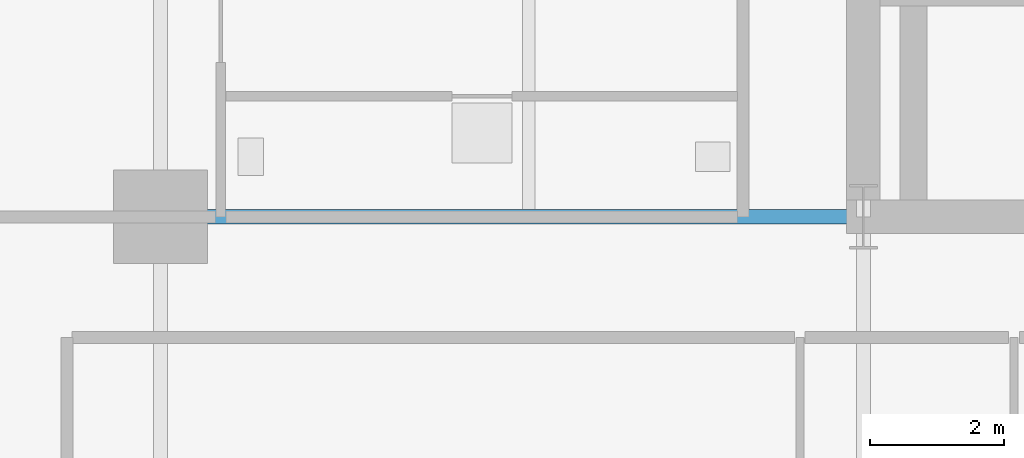
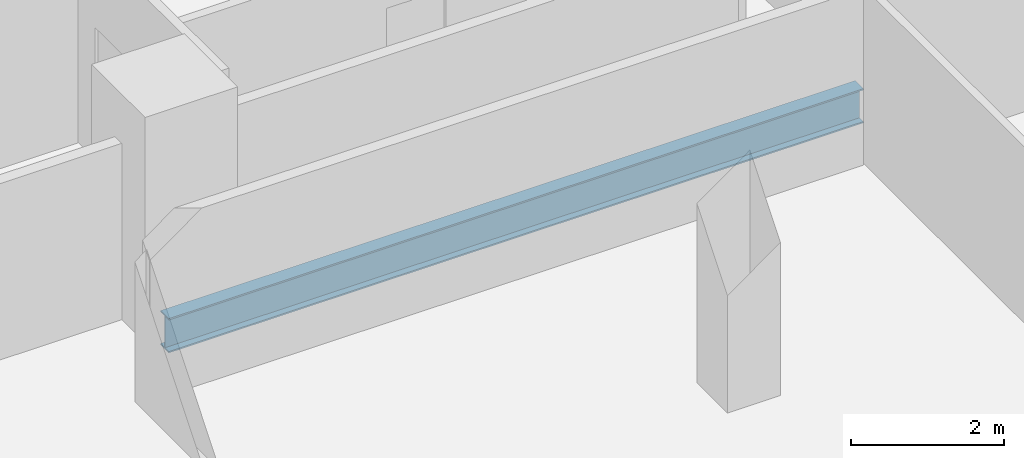
# One storey, part 7 of 27: 1 beam.
"""IFC4 building model written with IfcOpenShell, lengths in metres."""

from ifc_helpers import new_model, si_unit, direction, frame, origin, origin_2d, place, context, subcontext, project, spatial, i_section, extrude, material, material_profile, profile_set, type_object, element, save


model = new_model("IFC4")

# Units and contexts
model_context = context("Model", 3, precision=1e-05, world=origin(), true_north=direction((0.0, 1.0)))
body_context = subcontext(model_context, "Body", "Model", "MODEL_VIEW")
ifc_project = project(units=[si_unit("LENGTHUNIT", "METRE"), si_unit("AREAUNIT", "SQUARE_METRE"), si_unit("VOLUMEUNIT", "CUBIC_METRE"), si_unit("PLANEANGLEUNIT", "RADIAN"), si_unit("MASSUNIT", "GRAM", prefix="KILO")], contexts=[model_context])

# Site, building, storey
site_placement = place(None, origin())
site = spatial("IfcSite", under=ifc_project, at=site_placement, CompositionType="ELEMENT")
building_placement = place(site_placement, origin())
building = spatial("IfcBuilding", under=site, at=building_placement, Name="Barlavira Tower and Art Museum", CompositionType="ELEMENT")
storey_placement = place(building_placement, frame((0.0, 0.0, 50.39990234375)))
storey = spatial("IfcBuildingStorey", under=building, at=storey_placement, Name="L11", CompositionType="ELEMENT", Elevation=50.39990234375)

# Beam
ifc_material = material(Name="Steel S355", Category="steel")
ifc_material_profile = material_profile(ifc_material, i_section(OverallWidth=0.214111328125, OverallDepth=0.549072265625, WebThickness=0.0146484375, FlangeThickness=0.023681640625, at=origin_2d()), Name="W530x138.0")
ifc_profile_set = profile_set([ifc_material_profile], Name="Steel S355")
beam_type = type_object("IfcBeamType", Name="Zone 1 Primary Floor Girder W530x138 Steel S355", PredefinedType="BEAM", material=ifc_profile_set)
beam_placement = place(storey_placement, frame((-17.0, -7.5, -0.494384765625), z_axis=(1.0, 0.0, 0.0), x_axis=(0.0, 1.0, 0.0)))
element("IfcBeam", 1, at=beam_placement, inside=storey, type_object=beam_type, Name="L11 Girder R-W1", PredefinedType="BEAM", context=body_context, shape_type="SweptSolid", body=[
    extrude(i_section(OverallWidth=0.214111328125, OverallDepth=0.549072265625, WebThickness=0.0146484375, FlangeThickness=0.023681640625, at=origin_2d()), origin(), (0.0, 0.0, 1.0), 10.5),
])

save(model, "model.ifc")
